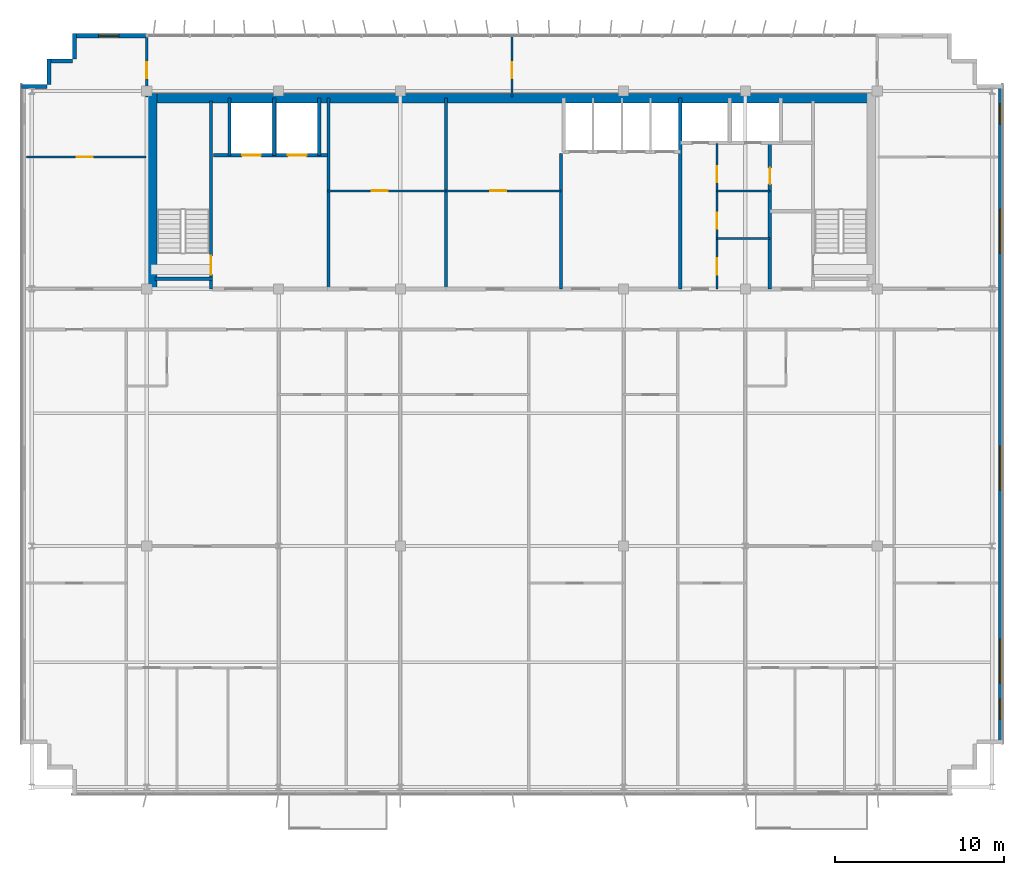
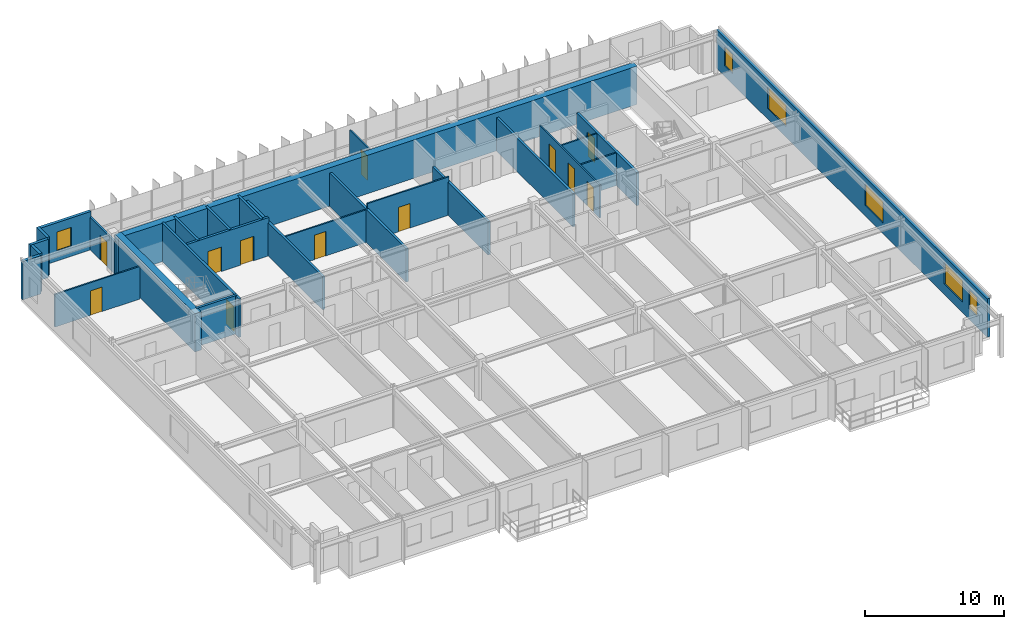
# One storey, part 19 of 22: 27 walls, 12 doors, 6 windows, 18 openings.
"""IFC4 building model written with IfcOpenShell, lengths in metres."""

from ifc_helpers import new_model, si_unit, direction, frame, frame_2d, origin, place, context, subcontext, project, spatial, rectangle, extrude, source, transform, mapped, material, layer, layer_set, type_object, element, fill, save


model = new_model("IFC4")

# Units and contexts
model_context = context("Model", 3, precision=1e-05, world=origin(), true_north=direction((0.0, 1.0)))
body_context = subcontext(model_context, "Body", "Model", "MODEL_VIEW")
ifc_project = project(units=[si_unit("LENGTHUNIT", "METRE"), si_unit("AREAUNIT", "SQUARE_METRE"), si_unit("VOLUMEUNIT", "CUBIC_METRE"), si_unit("PLANEANGLEUNIT", "RADIAN"), si_unit("MASSUNIT", "GRAM", prefix="KILO")], contexts=[model_context])

# Site, building, storey
site_placement = place(None, origin())
site = spatial("IfcSite", under=ifc_project, at=site_placement, CompositionType="ELEMENT")
building_placement = place(site_placement, origin())
building = spatial("IfcBuilding", under=site, at=building_placement, Name="Trelvane Seafront Commons", CompositionType="ELEMENT")
storey_placement = place(building_placement, frame((0.0, 0.0, 284.699951171875)))
storey = spatial("IfcBuildingStorey", under=building, at=storey_placement, Name="L74", CompositionType="ELEMENT", Elevation=284.699951171875)

# Wall, opening, window
ifc_material_1 = material(Name="Precast concrete C40/50", Category="concrete")
ifc_layer_1 = layer(ifc_material_1, 0.239990234375, Name="ARCH-WALL-EXT240")
ifc_layer_set_1 = layer_set([ifc_layer_1], Name="Precast concrete C40/50")
wall_type_1 = type_object("IfcWallType", Name="ARCH-WALL-EXT240", PredefinedType="SOLIDWALL", material=ifc_layer_set_1)
wall_1_placement = place(storey_placement, frame((11.300048828125, 48.3701171875, 0.0), z_axis=(0.0, 0.0, 1.0), x_axis=(1.0, 0.0, 0.0)))
wall_1 = element("IfcWall", 1, at=wall_1_placement, inside=storey, type_object=wall_type_1, Name="EW-L74-NW-1487", PredefinedType="SOLIDWALL", context=body_context, shape_type="SweptSolid", body=[
    extrude(rectangle(XDim=4.300048828125, YDim=0.239990234375, at=frame_2d((2.14990234375, 0.0))), origin(), (0.0, 0.0, 1.0), 3.3701171875),
])
opening_1_placement = place(wall_1_placement, frame((1.4599609375, 0.0, 0.89990234375)))
opening_1 = element("IfcOpeningElement", 2, at=opening_1_placement, cuts=wall_1, Name="Opening W05", PredefinedType="OPENING", context=body_context, shape_type="SweptSolid", body=[
    extrude(rectangle(XDim=1.199951171875, YDim=1.64990234375, at=frame_2d((0.60009765625, 0.824951171875))), frame((0.0, 0.1298828125, 0.0), z_axis=(0.0, -1.0, 0.0), x_axis=(1.0, 0.0, 0.0)), (0.0, 0.0, 1.0), 0.260009765625),
])
ifc_material_2 = material(Name="Low-E coastal double glazing", Category="glass")
window_type_1 = type_object("IfcWindowType", Name="ARCH-WIN-W05", PartitioningType="SINGLE_PANEL", PredefinedType="WINDOW", material=ifc_material_2)
shared_shape_1 = source(origin(), body_context, "Body", "SweptSolid", [
    extrude(rectangle(XDim=1.199951171875, YDim=1.64990234375, at=frame_2d((0.60009765625, 0.824951171875))), frame((0.0, 0.030029296875, 0.0), z_axis=(0.0, -1.0, 0.0), x_axis=(1.0, 0.0, 0.0)), (0.0, 0.0, 1.0), 0.06005859375),
])
window_1_placement = place(opening_1_placement, origin())
window_1 = element("IfcWindow", 3, at=window_1_placement, inside=storey, type_object=window_type_1, Name="WIN-L74-01771", OverallHeight=1.64990234375, OverallWidth=1.199951171875, PartitioningType="SINGLE_PANEL", PredefinedType="WINDOW", context=body_context, shape_type="MappedRepresentation", body=[
    mapped(shared_shape_1, transform((0.0, 0.0, 0.0), x_axis=(1.0, 0.0, 0.0), y_axis=(0.0, 1.0, 0.0), z_axis=(0.0, 0.0, 1.0), scale=1.0)),
])
fill(opening_1, window_1)

# Walls
for number, where, z_axis, x_axis, name in (
    (4, (8.199951171875, 45.3798828125, 0.0), (0.0, 0.0, 1.0), (1.0, 0.0, 0.0), "EW-L74-01493"),
    (5, (9.820068359375, 45.5, 0.0), (0.0, 0.0, 1.0), (0.0, 1.0, 0.0), "EW-L74-01494"),
    (6, (9.699951171875, 46.8798828125, 0.0), (0.0, 0.0, 1.0), (1.0, 0.0, 0.0), "EW-L74-01495"),
    (7, (11.320068359375, 47.0, 0.0), (0.0, 0.0, 1.0), (0.0, 1.0, 0.0), "EW-L74-01496"),
):
    element("IfcWall", number, at=place(storey_placement, frame(where, z_axis=z_axis, x_axis=x_axis)), inside=storey, type_object=wall_type_1, Name=name, PredefinedType="SOLIDWALL", context=body_context, shape_type="SweptSolid", body=[
        extrude(rectangle(XDim=1.5, YDim=0.239990234375, at=frame_2d((0.75, 0.0))), origin(), (0.0, 0.0, 1.0), 3.3701171875),
    ])

# Wall, openings, windows
wall_2_placement = place(storey_placement, frame((66.080078125, 45.5, 0.0), z_axis=(0.0, 0.0, 1.0), x_axis=(0.0, -1.0, 0.0)))
wall_2 = element("IfcWall", 8, at=wall_2_placement, inside=storey, type_object=wall_type_1, Name="EW-L74-01501", PredefinedType="SOLIDWALL", context=body_context, shape_type="SweptSolid", body=[
    extrude(rectangle(XDim=39.0, YDim=0.239990234375, at=frame_2d((19.5, 0.0))), origin(), (0.0, 0.0, 1.0), 3.3701171875),
])
opening_2_placement = place(wall_2_placement, frame((36.35009765625, 0.0, 0.919921875)))
opening_2 = element("IfcOpeningElement", 9, at=opening_2_placement, cuts=wall_2, Name="Opening W05", PredefinedType="OPENING", context=body_context, shape_type="SweptSolid", body=[
    extrude(rectangle(XDim=1.199951171875, YDim=1.64990234375, at=frame_2d((0.60009765625, 0.824951171875))), frame((0.0, 0.1298828125, 0.0), z_axis=(0.0, -1.0, 0.0), x_axis=(1.0, 0.0, 0.0)), (0.0, 0.0, 1.0), 0.260009765625),
])
opening_3_placement = place(wall_2_placement, frame((32.800048828125, 0.0, 0.919921875)))
opening_3 = element("IfcOpeningElement", 10, at=opening_3_placement, cuts=wall_2, Name="Opening W04", PredefinedType="OPENING", context=body_context, shape_type="SweptSolid", body=[
    extrude(rectangle(XDim=2.60009765625, YDim=1.89990234375, at=frame_2d((1.300048828125, 0.949951171875))), frame((0.0, 0.1298828125, 0.0), z_axis=(0.0, -1.0, 0.0), x_axis=(1.0, 0.0, 0.0)), (0.0, 0.0, 1.0), 0.260009765625),
])
opening_4_placement = place(wall_2_placement, frame((21.39990234375, 0.0, 0.919921875)))
opening_4 = element("IfcOpeningElement", 11, at=opening_4_placement, cuts=wall_2, Name="Opening W04", PredefinedType="OPENING", context=body_context, shape_type="SweptSolid", body=[
    extrude(rectangle(XDim=2.60009765625, YDim=1.89990234375, at=frame_2d((1.300048828125, 0.949951171875))), frame((0.0, 0.1298828125, 0.0), z_axis=(0.0, -1.0, 0.0), x_axis=(1.0, 0.0, 0.0)), (0.0, 0.0, 1.0), 0.260009765625),
])
opening_5_placement = place(wall_2_placement, frame((7.39990234375, 0.0, 0.919921875)))
opening_5 = element("IfcOpeningElement", 12, at=opening_5_placement, cuts=wall_2, Name="Opening W04", PredefinedType="OPENING", context=body_context, shape_type="SweptSolid", body=[
    extrude(rectangle(XDim=2.60009765625, YDim=1.89990234375, at=frame_2d((1.300048828125, 0.949951171875))), frame((0.0, 0.1298828125, 0.0), z_axis=(0.0, -1.0, 0.0), x_axis=(1.0, 0.0, 0.0)), (0.0, 0.0, 1.0), 0.260009765625),
])
opening_6_placement = place(wall_2_placement, frame((1.14990234375, 0.0, 0.919921875)))
opening_6 = element("IfcOpeningElement", 13, at=opening_6_placement, cuts=wall_2, Name="Opening W05", PredefinedType="OPENING", context=body_context, shape_type="SweptSolid", body=[
    extrude(rectangle(XDim=1.199951171875, YDim=1.64990234375, at=frame_2d((0.60009765625, 0.824951171875))), frame((0.0, 0.1298828125, 0.0), z_axis=(0.0, -1.0, 0.0), x_axis=(1.0, 0.0, 0.0)), (0.0, 0.0, 1.0), 0.260009765625),
])
window_type_2 = type_object("IfcWindowType", Name="ARCH-WIN-W04", PartitioningType="SINGLE_PANEL", PredefinedType="WINDOW", material=ifc_material_2)
shared_shape_2 = source(origin(), body_context, "Body", "SweptSolid", [
    extrude(rectangle(XDim=2.60009765625, YDim=1.89990234375, at=frame_2d((1.300048828125, 0.949951171875))), frame((0.0, 0.030029296875, 0.0), z_axis=(0.0, -1.0, 0.0), x_axis=(1.0, 0.0, 0.0)), (0.0, 0.0, 1.0), 0.06005859375),
])
window_2_placement = place(opening_3_placement, origin())
window_2 = element("IfcWindow", 14, at=window_2_placement, inside=storey, type_object=window_type_2, Name="WIN-L74-EW-01779", OverallHeight=1.89990234375, OverallWidth=2.60009765625, PartitioningType="SINGLE_PANEL", PredefinedType="WINDOW", context=body_context, shape_type="MappedRepresentation", body=[
    mapped(shared_shape_2, transform((0.0, 0.0, 0.0), x_axis=(1.0, 0.0, 0.0), y_axis=(0.0, 1.0, 0.0), z_axis=(0.0, 0.0, 1.0), scale=1.0)),
])
fill(opening_3, window_2)
window_3_placement = place(opening_4_placement, origin())
window_3 = element("IfcWindow", 15, at=window_3_placement, inside=storey, type_object=window_type_2, Name="WIN-L74-EW-01780", OverallHeight=1.89990234375, OverallWidth=2.60009765625, PartitioningType="SINGLE_PANEL", PredefinedType="WINDOW", context=body_context, shape_type="MappedRepresentation", body=[
    mapped(shared_shape_2, transform((0.0, 0.0, 0.0), x_axis=(1.0, 0.0, 0.0), y_axis=(0.0, 1.0, 0.0), z_axis=(0.0, 0.0, 1.0), scale=1.0)),
])
fill(opening_4, window_3)
window_4_placement = place(opening_5_placement, origin())
window_4 = element("IfcWindow", 16, at=window_4_placement, inside=storey, type_object=window_type_2, Name="WIN-L74-EW-01781", OverallHeight=1.89990234375, OverallWidth=2.60009765625, PartitioningType="SINGLE_PANEL", PredefinedType="WINDOW", context=body_context, shape_type="MappedRepresentation", body=[
    mapped(shared_shape_2, transform((0.0, 0.0, 0.0), x_axis=(1.0, 0.0, 0.0), y_axis=(0.0, 1.0, 0.0), z_axis=(0.0, 0.0, 1.0), scale=1.0)),
])
fill(opening_5, window_4)
window_5_placement = place(opening_2_placement, origin())
window_5 = element("IfcWindow", 17, at=window_5_placement, inside=storey, type_object=window_type_1, Name="WIN-L74-EW-01778", OverallHeight=1.64990234375, OverallWidth=1.199951171875, PartitioningType="SINGLE_PANEL", PredefinedType="WINDOW", context=body_context, shape_type="MappedRepresentation", body=[
    mapped(shared_shape_1, transform((0.0, 0.0, 0.0), x_axis=(1.0, 0.0, 0.0), y_axis=(0.0, 1.0, 0.0), z_axis=(0.0, 0.0, 1.0), scale=1.0)),
])
fill(opening_2, window_5)
window_6_placement = place(opening_6_placement, origin())
window_6 = element("IfcWindow", 18, at=window_6_placement, inside=storey, type_object=window_type_1, Name="WIN-L74-EW-01782", OverallHeight=1.64990234375, OverallWidth=1.199951171875, PartitioningType="SINGLE_PANEL", PredefinedType="WINDOW", context=body_context, shape_type="MappedRepresentation", body=[
    mapped(shared_shape_1, transform((0.0, 0.0, 0.0), x_axis=(1.0, 0.0, 0.0), y_axis=(0.0, 1.0, 0.0), z_axis=(0.0, 0.0, 1.0), scale=1.0)),
])
fill(opening_6, window_6)

# Wall, opening, door
ifc_material_3 = material(Name="Concrete C40/50", Category="concrete")
ifc_layer_2 = layer(ifc_material_3, 0.199951171875, Name="ARCH-WALL-FIRE200")
ifc_layer_set_2 = layer_set([ifc_layer_2], Name="Concrete C40/50")
wall_type_2 = type_object("IfcWallType", Name="ARCH-WALL-FIRE200", PredefinedType="PARTITIONING", material=ifc_layer_set_2)
wall_3_placement = place(storey_placement, frame((52.449951171875, 33.39990234375, 0.0), z_axis=(0.0, 0.0, 1.0), x_axis=(0.0, 1.0, 0.0)))
wall_3 = element("IfcWall", 19, at=wall_3_placement, inside=storey, type_object=wall_type_2, Name="W-L74-ST2V-W-030", PredefinedType="PARTITIONING", context=body_context, shape_type="SweptSolid", body=[
    extrude(rectangle(XDim=8.650146484375, YDim=0.199951171875, at=frame_2d((4.3251953125, 0.0))), origin(), (0.0, 0.0, 1.0), 2.920166015625),
])
opening_7_placement = place(wall_3_placement, frame((6.199951171875, 0.0, 0.0)))
opening_7 = element("IfcOpeningElement", 20, at=opening_7_placement, cuts=wall_3, Name="Opening FD-L74-17", PredefinedType="OPENING", context=body_context, shape_type="SweptSolid", body=[
    extrude(rectangle(XDim=0.949951171875, YDim=2.14990234375, at=frame_2d((0.47509765625, 1.074951171875))), frame((0.0, 0.10986328125, 0.0), z_axis=(0.0, -1.0, 0.0), x_axis=(1.0, 0.0, 0.0)), (0.0, 0.0, 1.0), 0.219970703125),
])
ifc_material_4 = material(Name="Powder-coated aluminium frame", Category="aluminium")
door_type_1 = type_object("IfcDoorType", Name="ARCH-DR-FD60-950", OperationType="NOTDEFINED", PredefinedType="DOOR", material=ifc_material_4)
shared_shape_3 = source(origin(), body_context, "Body", "SweptSolid", [
    extrude(rectangle(XDim=0.949951171875, YDim=2.14990234375, at=frame_2d((0.47509765625, 1.074951171875))), frame((0.0, 0.02490234375, 0.0), z_axis=(0.0, -1.0, 0.0), x_axis=(1.0, 0.0, 0.0)), (0.0, 0.0, 1.0), 0.050048828125),
])
door_1_placement = place(opening_7_placement, origin())
door_1 = element("IfcDoor", 21, at=door_1_placement, inside=storey, type_object=door_type_1, Name="L74 Cleaner Store Door", OperationType="SINGLE_SWING_LEFT", OverallHeight=2.14990234375, OverallWidth=0.949951171875, PredefinedType="DOOR", context=body_context, shape_type="MappedRepresentation", body=[
    mapped(shared_shape_3, transform((0.0, 0.0, 0.0), x_axis=(1.0, 0.0, 0.0), y_axis=(0.0, 1.0, 0.0), z_axis=(0.0, 0.0, 1.0), scale=1.0)),
])
fill(opening_7, door_1)

ifc_material_5 = material(Name="Gypsum Drywall Acoustic Partition")
ifc_layer_3 = layer(ifc_material_5, 0.1201171875, Name="ARCH-WALL-PART120")
ifc_layer_set_3 = layer_set([ifc_layer_3], Name="Gypsum Drywall Acoustic Partition")
wall_type_3 = type_object("IfcWallType", Name="ARCH-WALL-PART120", PredefinedType="PARTITIONING", material=ifc_layer_set_3)
wall_4_placement = place(storey_placement, frame((26.300048828125, 39.199951171875, 0.0), z_axis=(0.0, 0.0, 1.0), x_axis=(1.0, 0.0, 0.0)))
wall_4 = element("IfcWall", 22, at=wall_4_placement, inside=storey, type_object=wall_type_3, Name="W-L74-FREED-PL-MID-014", PredefinedType="PARTITIONING", context=body_context, shape_type="SweptSolid", body=[
    extrude(rectangle(XDim=7.0, YDim=0.1201171875, at=frame_2d((3.5, 0.0))), origin(), (0.0, 0.0, 1.0), 2.8701171875),
])
opening_8_placement = place(wall_4_placement, frame((2.60009765625, 0.0, 0.0)))
opening_8 = element("IfcOpeningElement", 23, at=opening_8_placement, cuts=wall_4, Name="Opening D-L74-06", PredefinedType="OPENING", context=body_context, shape_type="SweptSolid", body=[
    extrude(rectangle(XDim=0.949951171875, YDim=2.14990234375, at=frame_2d((0.47509765625, 1.074951171875))), frame((0.0, 0.070068359375, 0.0), z_axis=(0.0, -1.0, 0.0), x_axis=(1.0, 0.0, 0.0)), (0.0, 0.0, 1.0), 0.14013671875),
])
ifc_material_6 = material(Name="Acoustic timber door leaf", Category="wood")
door_type_2 = type_object("IfcDoorType", Name="ARCH-DR-INT950", OperationType="NOTDEFINED", PredefinedType="DOOR", material=ifc_material_6)
door_2_placement = place(opening_8_placement, origin())
door_2 = element("IfcDoor", 24, at=door_2_placement, inside=storey, type_object=door_type_2, Name="L74 Housekeeping Store Door", OperationType="SINGLE_SWING_RIGHT", OverallHeight=2.14990234375, OverallWidth=0.949951171875, PredefinedType="DOOR", context=body_context, shape_type="MappedRepresentation", body=[
    mapped(shared_shape_3, transform((0.0, 0.0, 0.0), x_axis=(1.0, 0.0, 0.0), y_axis=(0.0, 1.0, 0.0), z_axis=(0.0, 0.0, 1.0), scale=1.0)),
])
fill(opening_8, door_2)

wall_5_placement = place(storey_placement, frame((33.300048828125, 39.199951171875, 0.0), z_axis=(0.0, 0.0, 1.0), x_axis=(1.0, 0.0, 0.0)))
wall_5 = element("IfcWall", 25, at=wall_5_placement, inside=storey, type_object=wall_type_3, Name="W-L74-FREED-PM-MID-016", PredefinedType="PARTITIONING", context=body_context, shape_type="SweptSolid", body=[
    extrude(rectangle(XDim=6.800048828125, YDim=0.1201171875, at=frame_2d((3.39990234375, 0.0))), origin(), (0.0, 0.0, 1.0), 3.3701171875),
])
opening_9_placement = place(wall_5_placement, frame((2.60009765625, 0.0, 0.0)))
opening_9 = element("IfcOpeningElement", 26, at=opening_9_placement, cuts=wall_5, Name="Opening D-L74-07", PredefinedType="OPENING", context=body_context, shape_type="SweptSolid", body=[
    extrude(rectangle(XDim=0.949951171875, YDim=2.14990234375, at=frame_2d((0.47509765625, 1.074951171875))), frame((0.0, 0.070068359375, 0.0), z_axis=(0.0, -1.0, 0.0), x_axis=(1.0, 0.0, 0.0)), (0.0, 0.0, 1.0), 0.14013671875),
])
door_3_placement = place(opening_9_placement, origin())
door_3 = element("IfcDoor", 27, at=door_3_placement, inside=storey, type_object=door_type_2, Name="L74 IT Comms Room Door", OperationType="SINGLE_SWING_LEFT", OverallHeight=2.14990234375, OverallWidth=0.949951171875, PredefinedType="DOOR", context=body_context, shape_type="MappedRepresentation", body=[
    mapped(shared_shape_3, transform((0.0, 0.0, 0.0), x_axis=(1.0, 0.0, 0.0), y_axis=(0.0, 1.0, 0.0), z_axis=(0.0, 0.0, 1.0), scale=1.0)),
])
fill(opening_9, door_3)

# Wall, openings, doors
wall_6_placement = place(storey_placement, frame((49.320068359375, 33.39990234375, 0.0), z_axis=(0.0, 0.0, 1.0), x_axis=(0.0, 1.0, 0.0)))
wall_6 = element("IfcWall", 28, at=wall_6_placement, inside=storey, type_object=wall_type_3, Name="W-L74-CYC3-V-032", PredefinedType="PARTITIONING", context=body_context, shape_type="SweptSolid", body=[
    extrude(rectangle(XDim=8.60009765625, YDim=0.1201171875, at=frame_2d((4.300048828125, 0.0))), origin(), (0.0, 0.0, 1.0), 2.920166015625),
])
opening_10_placement = place(wall_6_placement, frame((0.85009765625, 0.0, 0.0)))
opening_10 = element("IfcOpeningElement", 29, at=opening_10_placement, cuts=wall_6, Name="Opening D-L74-18", PredefinedType="OPENING", context=body_context, shape_type="SweptSolid", body=[
    extrude(rectangle(XDim=0.949951171875, YDim=2.14990234375, at=frame_2d((0.47509765625, 1.074951171875))), frame((0.0, 0.070068359375, 0.0), z_axis=(0.0, -1.0, 0.0), x_axis=(1.0, 0.0, 0.0)), (0.0, 0.0, 1.0), 0.14013671875),
])
opening_11_placement = place(wall_6_placement, frame((3.550048828125, 0.0, 0.0)))
opening_11 = element("IfcOpeningElement", 30, at=opening_11_placement, cuts=wall_6, Name="Opening D-L74-19", PredefinedType="OPENING", context=body_context, shape_type="SweptSolid", body=[
    extrude(rectangle(XDim=0.949951171875, YDim=2.14990234375, at=frame_2d((0.47509765625, 1.074951171875))), frame((0.0, 0.070068359375, 0.0), z_axis=(0.0, -1.0, 0.0), x_axis=(1.0, 0.0, 0.0)), (0.0, 0.0, 1.0), 0.14013671875),
])
opening_12_placement = place(wall_6_placement, frame((6.300048828125, 0.0, 0.0)))
opening_12 = element("IfcOpeningElement", 31, at=opening_12_placement, cuts=wall_6, Name="Opening D-L74-20", PredefinedType="OPENING", context=body_context, shape_type="SweptSolid", body=[
    extrude(rectangle(XDim=0.949951171875, YDim=2.14990234375, at=frame_2d((0.47509765625, 1.074951171875))), frame((0.0, 0.070068359375, 0.0), z_axis=(0.0, -1.0, 0.0), x_axis=(1.0, 0.0, 0.0)), (0.0, 0.0, 1.0), 0.14013671875),
])
door_4_placement = place(opening_10_placement, origin())
door_4 = element("IfcDoor", 32, at=door_4_placement, inside=storey, type_object=door_type_2, Name="L74 Accessible WC Door", OperationType="SINGLE_SWING_RIGHT", OverallHeight=2.14990234375, OverallWidth=0.949951171875, PredefinedType="DOOR", context=body_context, shape_type="MappedRepresentation", body=[
    mapped(shared_shape_3, transform((0.0, 0.0, 0.0), x_axis=(1.0, 0.0, 0.0), y_axis=(0.0, 1.0, 0.0), z_axis=(0.0, 0.0, 1.0), scale=1.0)),
])
fill(opening_10, door_4)
door_5_placement = place(opening_11_placement, origin())
door_5 = element("IfcDoor", 33, at=door_5_placement, inside=storey, type_object=door_type_2, Name="L74 Staff WC Door", OperationType="SINGLE_SWING_LEFT", OverallHeight=2.14990234375, OverallWidth=0.949951171875, PredefinedType="DOOR", context=body_context, shape_type="MappedRepresentation", body=[
    mapped(shared_shape_3, transform((0.0, 0.0, 0.0), x_axis=(1.0, 0.0, 0.0), y_axis=(0.0, 1.0, 0.0), z_axis=(0.0, 0.0, 1.0), scale=1.0)),
])
fill(opening_11, door_5)
door_6_placement = place(opening_12_placement, origin())
door_6 = element("IfcDoor", 34, at=door_6_placement, inside=storey, type_object=door_type_2, Name="L74 Electrical Room Door", OperationType="SINGLE_SWING_RIGHT", OverallHeight=2.14990234375, OverallWidth=0.949951171875, PredefinedType="DOOR", context=body_context, shape_type="MappedRepresentation", body=[
    mapped(shared_shape_3, transform((0.0, 0.0, 0.0), x_axis=(1.0, 0.0, 0.0), y_axis=(0.0, 1.0, 0.0), z_axis=(0.0, 0.0, 1.0), scale=1.0)),
])
fill(opening_12, door_6)

# Walls
for number, where, z_axis, x_axis, name in (
    (35, (49.320068359375, 36.3798828125, 0.0), (0.0, 0.0, 1.0), (1.0, 0.0, 0.0), "W-L74-CYC3-H1-033"),
    (36, (49.320068359375, 39.179931640625, 0.0), (0.0, 0.0, 1.0), (1.0, 0.0, 0.0), "W-L74-CYC3-H2-034"),
):
    element("IfcWall", number, at=place(storey_placement, frame(where, z_axis=z_axis, x_axis=x_axis)), inside=storey, type_object=wall_type_3, Name=name, PredefinedType="PARTITIONING", context=body_context, shape_type="SweptSolid", body=[
        extrude(rectangle(XDim=3.1298828125, YDim=0.1201171875, at=frame_2d((1.56494140625, 0.0))), origin(), (0.0, 0.0, 1.0), 2.8701171875),
    ])

# Wall, opening, door
wall_7_placement = place(storey_placement, frame((8.5, 41.199951171875, 0.0), z_axis=(0.0, 0.0, 1.0), x_axis=(1.0, 0.0, 0.0)))
wall_7 = element("IfcWall", 37, at=wall_7_placement, inside=storey, type_object=wall_type_3, Name="W-L74-NW-LGDV-036", PredefinedType="PARTITIONING", context=body_context, shape_type="SweptSolid", body=[
    extrude(rectangle(XDim=7.050048828125, YDim=0.1201171875, at=frame_2d((3.52490234375, 0.0))), origin(), (0.0, 0.0, 1.0), 2.8701171875),
])
opening_13_placement = place(wall_7_placement, frame((2.9580078125, 0.0, 0.0)))
opening_13 = element("IfcOpeningElement", 38, at=opening_13_placement, cuts=wall_7, Name="Opening D-L74-23", PredefinedType="OPENING", context=body_context, shape_type="SweptSolid", body=[
    extrude(rectangle(XDim=0.949951171875, YDim=2.14990234375, at=frame_2d((0.47509765625, 1.074951171875))), frame((0.0, 0.070068359375, 0.0), z_axis=(0.0, -1.0, 0.0), x_axis=(1.0, 0.0, 0.0)), (0.0, 0.0, 1.0), 0.14013671875),
])
door_7_placement = place(opening_13_placement, origin())
door_7 = element("IfcDoor", 39, at=door_7_placement, inside=storey, type_object=door_type_2, Name="L74 Door 23", OperationType="SINGLE_SWING_LEFT", OverallHeight=2.14990234375, OverallWidth=0.949951171875, PredefinedType="DOOR", context=body_context, shape_type="MappedRepresentation", body=[
    mapped(shared_shape_3, transform((0.0, 0.0, 0.0), x_axis=(1.0, 0.0, 0.0), y_axis=(0.0, 1.0, 0.0), z_axis=(0.0, 0.0, 1.0), scale=1.0)),
])
fill(opening_13, door_7)

wall_8_placement = place(storey_placement, frame((37.199951171875, 44.75, 0.0), z_axis=(0.0, 0.0, 1.0), x_axis=(0.0, 1.0, 0.0)))
wall_8 = element("IfcWall", 40, at=wall_8_placement, inside=storey, type_object=wall_type_3, Name="W-L74-N-MID-DV-040", PredefinedType="PARTITIONING", context=body_context, shape_type="SweptSolid", body=[
    extrude(rectangle(XDim=3.610107421875, YDim=0.1201171875, at=frame_2d((1.80517578125, 0.0))), origin(), (0.0, 0.0, 1.0), 2.920166015625),
])
opening_14_placement = place(wall_8_placement, frame((1.10009765625, 0.0, 0.0)))
opening_14 = element("IfcOpeningElement", 41, at=opening_14_placement, cuts=wall_8, Name="Opening D-L74-27", PredefinedType="OPENING", context=body_context, shape_type="SweptSolid", body=[
    extrude(rectangle(XDim=0.949951171875, YDim=2.14990234375, at=frame_2d((0.47509765625, 1.074951171875))), frame((0.0, 0.070068359375, 0.0), z_axis=(0.0, -1.0, 0.0), x_axis=(1.0, 0.0, 0.0)), (0.0, 0.0, 1.0), 0.14013671875),
])
door_8_placement = place(opening_14_placement, origin())
door_8 = element("IfcDoor", 42, at=door_8_placement, inside=storey, type_object=door_type_2, Name="L74 Door 27", OperationType="SINGLE_SWING_LEFT", OverallHeight=2.14990234375, OverallWidth=0.949951171875, PredefinedType="DOOR", context=body_context, shape_type="MappedRepresentation", body=[
    mapped(shared_shape_3, transform((0.0, 0.0, 0.0), x_axis=(1.0, 0.0, 0.0), y_axis=(0.0, 1.0, 0.0), z_axis=(0.0, 0.0, 1.0), scale=1.0)),
])
fill(opening_14, door_8)

ifc_layer_4 = layer(ifc_material_5, 0.14990234375, Name="ARCH-WALL-PART150")
ifc_layer_set_4 = layer_set([ifc_layer_4], Name="Gypsum Drywall Acoustic Partition")
wall_type_4 = type_object("IfcWallType", Name="ARCH-WALL-PART150", PredefinedType="PARTITIONING", material=ifc_layer_set_4)
wall_9_placement = place(storey_placement, frame((15.60009765625, 44.75, 0.0), z_axis=(0.0, 0.0, 1.0), x_axis=(0.0, 1.0, 0.0)))
wall_9 = element("IfcWall", 43, at=wall_9_placement, inside=storey, type_object=wall_type_4, Name="W-L74-N-LINK-W-041", PredefinedType="PARTITIONING", context=body_context, shape_type="SweptSolid", body=[
    extrude(rectangle(XDim=3.610107421875, YDim=0.14990234375, at=frame_2d((1.80517578125, 0.0))), origin(), (0.0, 0.0, 1.0), 2.8701171875),
])
opening_15_placement = place(wall_9_placement, frame((1.10009765625, 0.0, 0.0)))
opening_15 = element("IfcOpeningElement", 44, at=opening_15_placement, cuts=wall_9, Name="Opening FD-L74-28", PredefinedType="OPENING", context=body_context, shape_type="SweptSolid", body=[
    extrude(rectangle(XDim=0.949951171875, YDim=2.14990234375, at=frame_2d((0.47509765625, 1.074951171875))), frame((0.0, 0.0849609375, 0.0), z_axis=(0.0, -1.0, 0.0), x_axis=(1.0, 0.0, 0.0)), (0.0, 0.0, 1.0), 0.169921875),
])
door_9_placement = place(opening_15_placement, origin())
door_9 = element("IfcDoor", 45, at=door_9_placement, inside=storey, type_object=door_type_1, Name="L74 Door 28", OperationType="SINGLE_SWING_RIGHT", OverallHeight=2.14990234375, OverallWidth=0.949951171875, PredefinedType="DOOR", context=body_context, shape_type="MappedRepresentation", body=[
    mapped(shared_shape_3, transform((0.0, 0.0, 0.0), x_axis=(1.0, 0.0, 0.0), y_axis=(0.0, 1.0, 0.0), z_axis=(0.0, 0.0, 1.0), scale=1.0)),
])
fill(opening_15, door_9)

# Wall, openings, doors
ifc_layer_5 = layer(ifc_material_3, 0.199951171875, Name="ARCH-WALL-SHAFT200")
ifc_layer_set_5 = layer_set([ifc_layer_5], Name="Concrete C40/50")
wall_type_5 = type_object("IfcWallType", Name="ARCH-WALL-SHAFT200", PredefinedType="SOLIDWALL", material=ifc_layer_set_5)
wall_10_placement = place(storey_placement, frame((19.550048828125, 41.300048828125, 0.0), z_axis=(0.0, 0.0, 1.0), x_axis=(1.0, 0.0, 0.0)))
wall_10 = element("IfcWall", 46, at=wall_10_placement, inside=storey, type_object=wall_type_5, Name="W-L74-FFL-FRONT-008", PredefinedType="SOLIDWALL", context=body_context, shape_type="SweptSolid", body=[
    extrude(rectangle(XDim=6.75, YDim=0.199951171875, at=frame_2d((3.375, 0.0))), origin(), (0.0, 0.0, 1.0), 3.3701171875),
])
opening_16_placement = place(wall_10_placement, frame((1.699951171875, 0.0, 0.0)))
opening_16 = element("IfcOpeningElement", 47, at=opening_16_placement, cuts=wall_10, Name="Opening LD-FF1-L74", PredefinedType="OPENING", context=body_context, shape_type="SweptSolid", body=[
    extrude(rectangle(XDim=1.10009765625, YDim=2.14990234375, at=frame_2d((0.550048828125, 1.074951171875))), frame((0.0, 0.10986328125, 0.0), z_axis=(0.0, -1.0, 0.0), x_axis=(1.0, 0.0, 0.0)), (0.0, 0.0, 1.0), 0.219970703125),
])
opening_17_placement = place(wall_10_placement, frame((4.39990234375, 0.0, 0.0)))
opening_17 = element("IfcOpeningElement", 48, at=opening_17_placement, cuts=wall_10, Name="Opening LD-FF2-L74", PredefinedType="OPENING", context=body_context, shape_type="SweptSolid", body=[
    extrude(rectangle(XDim=1.10009765625, YDim=2.14990234375, at=frame_2d((0.550048828125, 1.074951171875))), frame((0.0, 0.10986328125, 0.0), z_axis=(0.0, -1.0, 0.0), x_axis=(1.0, 0.0, 0.0)), (0.0, 0.0, 1.0), 0.219970703125),
])
ifc_material_7 = material(Name="Stainless steel balustrade", Category="steel")
door_type_3 = type_object("IfcDoorType", Name="ARCH-DR-LD1100", OperationType="DOUBLE_DOOR_SLIDING", PredefinedType="DOOR", material=ifc_material_7)
shared_shape_4 = source(origin(), body_context, "Body", "SweptSolid", [
    extrude(rectangle(XDim=1.10009765625, YDim=2.14990234375, at=frame_2d((0.550048828125, 1.074951171875))), frame((0.0, 0.02490234375, 0.0), z_axis=(0.0, -1.0, 0.0), x_axis=(1.0, 0.0, 0.0)), (0.0, 0.0, 1.0), 0.050048828125),
])
door_10_placement = place(opening_16_placement, origin())
door_10 = element("IfcDoor", 49, at=door_10_placement, inside=storey, type_object=door_type_3, Name="L74 Firefighting Lift FFL-1 Landing Door", OperationType="DOUBLE_DOOR_SLIDING", OverallHeight=2.14990234375, OverallWidth=1.10009765625, PredefinedType="DOOR", context=body_context, shape_type="MappedRepresentation", body=[
    mapped(shared_shape_4, transform((0.0, 0.0, 0.0), x_axis=(1.0, 0.0, 0.0), y_axis=(0.0, 1.0, 0.0), z_axis=(0.0, 0.0, 1.0), scale=1.0)),
])
fill(opening_16, door_10)
door_11_placement = place(opening_17_placement, origin())
door_11 = element("IfcDoor", 50, at=door_11_placement, inside=storey, type_object=door_type_3, Name="L74 Firefighting Lift FFL-2 Landing Door", OperationType="DOUBLE_DOOR_SLIDING", OverallHeight=2.14990234375, OverallWidth=1.10009765625, PredefinedType="DOOR", context=body_context, shape_type="MappedRepresentation", body=[
    mapped(shared_shape_4, transform((0.0, 0.0, 0.0), x_axis=(1.0, 0.0, 0.0), y_axis=(0.0, 1.0, 0.0), z_axis=(0.0, 0.0, 1.0), scale=1.0)),
])
fill(opening_17, door_11)

# Walls
for number, where, z_axis, x_axis, name in (
    (51, (20.5, 41.300048828125, 0.0), (0.0, 0.0, 1.0), (0.0, 1.0, 0.0), "W-L74-FFL-SH-W-009"),
    (52, (23.14990234375, 41.300048828125, 0.0), (0.0, 0.0, 1.0), (0.0, 1.0, 0.0), "W-L74-FFL-DIV-010"),
    (53, (25.800048828125, 41.300048828125, 0.0), (0.0, 0.0, 1.0), (0.0, 1.0, 0.0), "W-L74-FFL-SH-E-011"),
):
    element("IfcWall", number, at=place(storey_placement, frame(where, z_axis=z_axis, x_axis=x_axis)), inside=storey, type_object=wall_type_5, Name=name, PredefinedType="SOLIDWALL", context=body_context, shape_type="SweptSolid", body=[
        extrude(rectangle(XDim=3.39990234375, YDim=0.199951171875, at=frame_2d((1.699951171875, 0.0))), origin(), (0.0, 0.0, 1.0), 3.3701171875),
    ])
for number, where, z_axis, x_axis, name in (
    (54, (26.35009765625, 33.39990234375, 0.0), (0.0, 0.0, 1.0), (0.0, 1.0, 0.0), "W-L74-FFL-EAST-012"),
    (55, (33.300048828125, 33.39990234375, 0.0), (0.0, 0.0, 1.0), (0.0, 1.0, 0.0), "W-L74-FREED-PL-E-015"),
):
    element("IfcWall", number, at=place(storey_placement, frame(where, z_axis=z_axis, x_axis=x_axis)), inside=storey, type_object=wall_type_5, Name=name, PredefinedType="SOLIDWALL", context=body_context, shape_type="SweptSolid", body=[
        extrude(rectangle(XDim=11.300048828125, YDim=0.199951171875, at=frame_2d((5.64990234375, 0.0))), origin(), (0.0, 0.0, 1.0), 2.920166015625),
    ])
wall_11_placement = place(storey_placement, frame((40.10009765625, 33.39990234375, 0.0), z_axis=(0.0, 0.0, 1.0), x_axis=(0.0, 1.0, 0.0)))
element("IfcWall", 56, at=wall_11_placement, inside=storey, type_object=wall_type_5, Name="W-L74-FREED-PM-E-017", PredefinedType="SOLIDWALL", context=body_context, shape_type="SweptSolid", body=[
    extrude(rectangle(XDim=8.0, YDim=0.199951171875, at=frame_2d((4.0, 0.0))), origin(), (0.0, 0.0, 1.0), 2.920166015625),
])
wall_12_placement = place(storey_placement, frame((47.14990234375, 33.39990234375, 0.0), z_axis=(0.0, 0.0, 1.0), x_axis=(0.0, 1.0, 0.0)))
element("IfcWall", 57, at=wall_12_placement, inside=storey, type_object=wall_type_5, Name="W-L74-PH-EAST-023", PredefinedType="SOLIDWALL", context=body_context, shape_type="SweptSolid", body=[
    extrude(rectangle(XDim=11.300048828125, YDim=0.199951171875, at=frame_2d((5.64990234375, 0.0))), origin(), (0.0, 0.0, 1.0), 2.920166015625),
])
ifc_material_8 = material(Name="Concrete C50/60", Category="concrete")
ifc_layer_6 = layer(ifc_material_8, 0.550048828125, Name="STR-WALL-CORE550")
ifc_layer_set_6 = layer_set([ifc_layer_6], Name="Concrete C50/60")
wall_type_6 = type_object("IfcWallType", Name="STR-WALL-CORE550", PredefinedType="SHEAR", material=ifc_layer_set_6)
wall_13_placement = place(storey_placement, frame((15.64990234375, 44.675048828125, 0.0), z_axis=(0.0, 0.0, 1.0), x_axis=(1.0, 0.0, 0.0)))
element("IfcWall", 58, at=wall_13_placement, inside=storey, type_object=wall_type_6, Name="W-L74-CN-ALL-001", PredefinedType="SHEAR", context=body_context, shape_type="SweptSolid", body=[
    extrude(rectangle(XDim=43.10009765625, YDim=0.550048828125, at=frame_2d((21.550048828125, 0.0))), origin(), (0.0, 0.0, 1.0), 3.3701171875),
])
wall_14_placement = place(storey_placement, frame((15.925048828125, 33.39990234375, 0.0), z_axis=(0.0, 0.0, 1.0), x_axis=(0.0, 1.0, 0.0)))
element("IfcWall", 59, at=wall_14_placement, inside=storey, type_object=wall_type_6, Name="W-L74-CW-END-002", PredefinedType="SHEAR", context=body_context, shape_type="SweptSolid", body=[
    extrude(rectangle(XDim=11.550048828125, YDim=0.550048828125, at=frame_2d((5.77490234375, 0.0))), origin(), (0.0, 0.0, 1.0), 3.3701171875),
])
ifc_layer_7 = layer(ifc_material_8, 0.199951171875, Name="STR-WALL-STAIR200")
ifc_layer_set_7 = layer_set([ifc_layer_7], Name="Concrete C50/60")
wall_type_7 = type_object("IfcWallType", Name="STR-WALL-STAIR200", PredefinedType="SHEAR", material=ifc_layer_set_7)
wall_15_placement = place(storey_placement, frame((16.10009765625, 34.0, 0.0), z_axis=(0.0, 0.0, 1.0), x_axis=(1.0, 0.0, 0.0)))
element("IfcWall", 60, at=wall_15_placement, inside=storey, type_object=wall_type_7, Name="W-L74-ST1-S-004", PredefinedType="SHEAR", context=body_context, shape_type="SweptSolid", body=[
    extrude(rectangle(XDim=3.39990234375, YDim=0.199951171875, at=frame_2d((1.699951171875, 0.0))), origin(), (0.0, 0.0, 1.0), 3.3701171875),
])

# Wall, opening, door
wall_16_placement = place(storey_placement, frame((19.39990234375, 33.39990234375, 0.0), z_axis=(0.0, 0.0, 1.0), x_axis=(0.0, 1.0, 0.0)))
wall_16 = element("IfcWall", 61, at=wall_16_placement, inside=storey, type_object=wall_type_7, Name="W-L74-ST1-E-005", PredefinedType="SHEAR", context=body_context, shape_type="SweptSolid", body=[
    extrude(rectangle(XDim=11.10009765625, YDim=0.199951171875, at=frame_2d((5.550048828125, 0.0))), origin(), (0.0, 0.0, 1.0), 3.3701171875),
])
opening_18_placement = place(wall_16_placement, frame((0.85009765625, 0.0, 0.0)))
opening_18 = element("IfcOpeningElement", 62, at=opening_18_placement, cuts=wall_16, Name="Opening ST-D1-L74", PredefinedType="OPENING", context=body_context, shape_type="SweptSolid", body=[
    extrude(rectangle(XDim=1.10009765625, YDim=2.14990234375, at=frame_2d((0.550048828125, 1.074951171875))), frame((0.0, 0.10986328125, 0.0), z_axis=(0.0, -1.0, 0.0), x_axis=(1.0, 0.0, 0.0)), (0.0, 0.0, 1.0), 0.219970703125),
])
door_type_4 = type_object("IfcDoorType", Name="ARCH-DR-FD90-1100", OperationType="NOTDEFINED", PredefinedType="DOOR", material=ifc_material_4)
door_12_placement = place(opening_18_placement, origin())
door_12 = element("IfcDoor", 63, at=door_12_placement, inside=storey, type_object=door_type_4, Name="L74 Stair ST-1 Lobby Fire Door", OperationType="SINGLE_SWING_LEFT", OverallHeight=2.14990234375, OverallWidth=1.10009765625, PredefinedType="DOOR", context=body_context, shape_type="MappedRepresentation", body=[
    mapped(shared_shape_4, transform((0.0, 0.0, 0.0), x_axis=(1.0, 0.0, 0.0), y_axis=(0.0, 1.0, 0.0), z_axis=(0.0, 0.0, 1.0), scale=1.0)),
])
fill(opening_18, door_12)

save(model, "model.ifc")
